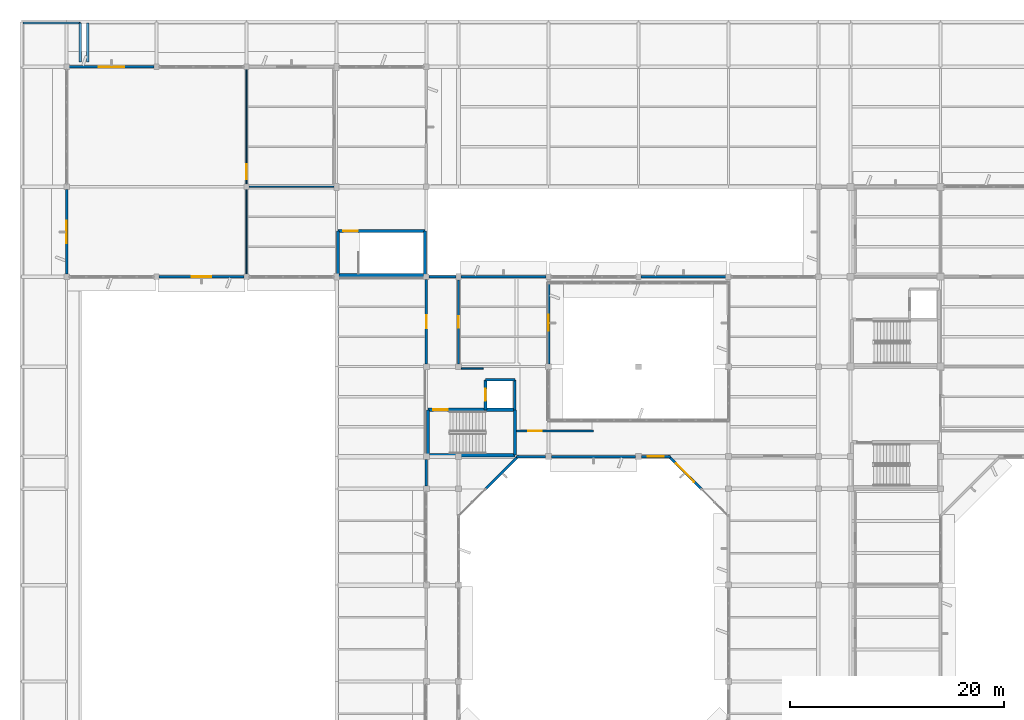
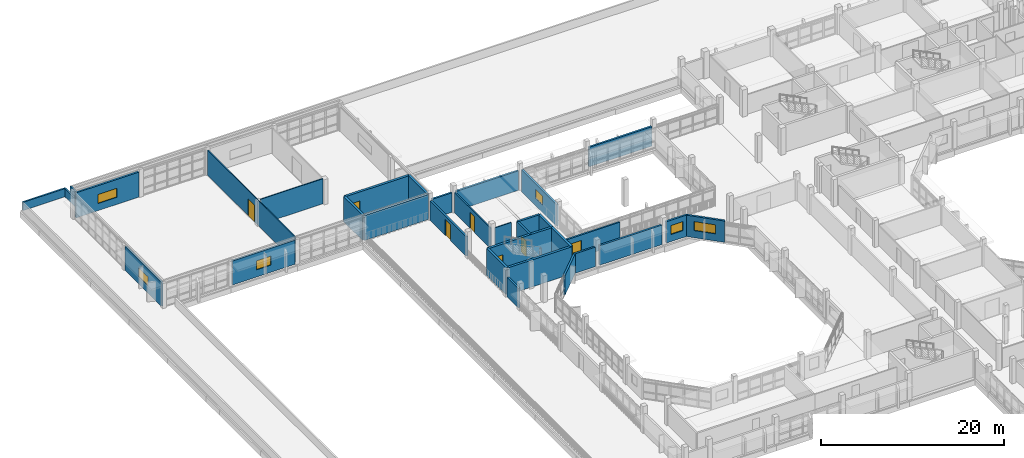
# One storey, part 62 of 92: 33 walls, 7 doors, 6 windows, 13 openings.
"""IFC4 building model written with IfcOpenShell, lengths in metres."""

from ifc_helpers import new_model, si_unit, direction, frame, frame_2d, origin, place, context, subcontext, project, spatial, rectangle, extrude, material, layer, layer_set, type_object, element, fill, save


model = new_model("IFC4")

# Units and contexts
model_context = context("Model", 3, precision=1e-05, world=origin(), true_north=direction((0.0, 1.0)))
body_context = subcontext(model_context, "Body", "Model", "MODEL_VIEW")
ifc_project = project(units=[si_unit("LENGTHUNIT", "METRE"), si_unit("AREAUNIT", "SQUARE_METRE"), si_unit("VOLUMEUNIT", "CUBIC_METRE"), si_unit("PLANEANGLEUNIT", "RADIAN"), si_unit("MASSUNIT", "GRAM", prefix="KILO")], contexts=[model_context])

# Site, building, storey
site_placement = place(None, origin())
site = spatial("IfcSite", under=ifc_project, at=site_placement, CompositionType="ELEMENT")
building_placement = place(site_placement, origin())
building = spatial("IfcBuilding", under=site, at=building_placement, Name="Vanh Quang Courtyard School", CompositionType="ELEMENT")
storey_placement = place(building_placement, frame((0.0, 0.0, 7.800048828125)))
storey = spatial("IfcBuildingStorey", under=building, at=storey_placement, Name="L02", CompositionType="ELEMENT", Elevation=7.800048828125)

# Wall, opening, door
ifc_material_1 = material(Name="Concrete C30/37", Category="concrete")
ifc_layer_1 = layer(ifc_material_1, 0.199951171875)
ifc_layer_set_1 = layer_set([ifc_layer_1], Name="Concrete C30/37")
wall_type_1 = type_object("IfcWallType", Name="W-COMP-200", PredefinedType="PARTITIONING", material=ifc_layer_set_1)
wall_1_placement = place(storey_placement, frame((53.39990234375, 73.800048828125, 0.0), z_axis=(0.0, 0.0, 1.0), x_axis=(-1.0, 0.0, 0.0)))
wall_1 = element("IfcWall", 1, at=wall_1_placement, inside=storey, type_object=wall_type_1, Name="Wall W-COMP1 (L02)", PredefinedType="PARTITIONING", context=body_context, shape_type="SweptSolid", body=[
    extrude(rectangle(XDim=7.199951171875, YDim=0.199951171875, at=frame_2d((3.60009765625, 0.0))), origin(), (0.0, 0.0, 1.0), 2.89990234375),
])
opening_1_placement = place(wall_1_placement, frame((4.824951171875, 0.0, 0.0)))
opening_1 = element("IfcOpeningElement", 2, at=opening_1_placement, cuts=wall_1, Name="Opening L02-D102", PredefinedType="OPENING", context=body_context, shape_type="SweptSolid", body=[
    extrude(rectangle(XDim=1.25, YDim=2.14990234375, at=frame_2d((0.625, 1.074951171875))), frame((0.0, 0.10986328125, 0.0), z_axis=(0.0, -1.0, 0.0), x_axis=(1.0, 0.0, 0.0)), (0.0, 0.0, 1.0), 0.219970703125),
])
ifc_material_2 = material(Name="Painted galvanised steel fire door", Category="steel")
door_type_1 = type_object("IfcDoorType", Name="IDR-LAB-1250x2150", OperationType="NOTDEFINED", PredefinedType="DOOR", material=ifc_material_2)
door_1_placement = place(opening_1_placement, origin())
door_1 = element("IfcDoor", 3, at=door_1_placement, inside=storey, type_object=door_type_1, Name="Door L02-D102 (L02)", OperationType="SINGLE_SWING_LEFT", OverallHeight=2.14990234375, OverallWidth=1.25, PredefinedType="DOOR", context=body_context, shape_type="SweptSolid", body=[
    extrude(rectangle(XDim=1.25, YDim=2.14990234375, at=frame_2d((0.625, 1.074951171875))), frame((0.0, 0.02490234375, 0.0), z_axis=(0.0, -1.0, 0.0), x_axis=(1.0, 0.0, 0.0)), (0.0, 0.0, 1.0), 0.050048828125),
])
fill(opening_1, door_1)

# Walls
ifc_material_3 = material(Name="Concrete C35/45", Category="concrete")
ifc_layer_2 = layer(ifc_material_3, 0.300048828125)
ifc_layer_set_2 = layer_set([ifc_layer_2], Name="Concrete C35/45")
wall_type_2 = type_object("IfcWallType", Name="W-CORE-300", PredefinedType="SHEAR", material=ifc_layer_set_2)
wall_2_placement = place(storey_placement, frame((37.93994140625, 71.5400390625, 0.0), z_axis=(0.0, 0.0, 1.0), x_axis=(1.0, 0.0, 0.0)))
element("IfcWall", 4, at=wall_2_placement, inside=storey, type_object=wall_type_2, Name="Wall W-CORE1 (L02)", PredefinedType="SHEAR", context=body_context, shape_type="SweptSolid", body=[
    extrude(rectangle(XDim=8.1201171875, YDim=0.300048828125, at=frame_2d((4.06005859375, 0.0))), origin(), (0.0, 0.0, 1.0), 3.599853515625),
])
wall_3_placement = place(storey_placement, frame((46.06005859375, 71.5400390625, 0.0), z_axis=(0.0, 0.0, 1.0), x_axis=(0.0, 1.0, 0.0)))
element("IfcWall", 5, at=wall_3_placement, inside=storey, type_object=wall_type_2, Name="Wall W-CORE1 (L02)", PredefinedType="SHEAR", context=body_context, shape_type="SweptSolid", body=[
    extrude(rectangle(XDim=4.239990234375, YDim=0.300048828125, at=frame_2d((2.1201171875, 0.0))), origin(), (0.0, 0.0, 1.0), 3.599853515625),
])

# Wall, opening, door
wall_4_placement = place(storey_placement, frame((46.06005859375, 75.780029296875, 0.0), z_axis=(0.0, 0.0, 1.0), x_axis=(-1.0, 0.0, 0.0)))
wall_4 = element("IfcWall", 6, at=wall_4_placement, inside=storey, type_object=wall_type_2, Name="Wall W-CORE1 (L02)", PredefinedType="SHEAR", context=body_context, shape_type="SweptSolid", body=[
    extrude(rectangle(XDim=8.1201171875, YDim=0.300048828125, at=frame_2d((4.06005859375, 0.0))), origin(), (0.0, 0.0, 1.0), 3.599853515625),
])
opening_2_placement = place(wall_4_placement, frame((6.27001953125, 0.0, 0.0)))
opening_2 = element("IfcOpeningElement", 7, at=opening_2_placement, cuts=wall_4, Name="Opening L02-DS3", PredefinedType="OPENING", context=body_context, shape_type="SweptSolid", body=[
    extrude(rectangle(XDim=1.35009765625, YDim=2.14990234375, at=frame_2d((0.675048828125, 1.074951171875))), frame((0.0, 0.16015625, 0.0), z_axis=(0.0, -1.0, 0.0), x_axis=(1.0, 0.0, 0.0)), (0.0, 0.0, 1.0), 0.320068359375),
])
door_type_2 = type_object("IfcDoorType", Name="IDR-ST-1350x2150", OperationType="NOTDEFINED", PredefinedType="DOOR", material=ifc_material_2)
door_2_placement = place(opening_2_placement, frame((1.35009765625, 0.0, 0.0), z_axis=(0.0, 0.0, 1.0), x_axis=(-1.0, 0.0, 0.0)))
door_2 = element("IfcDoor", 8, at=door_2_placement, inside=storey, type_object=door_type_2, Name="Door L02-DS3 (L02)", OperationType="SINGLE_SWING_RIGHT", OverallHeight=2.14990234375, OverallWidth=1.35009765625, PredefinedType="DOOR", context=body_context, shape_type="SweptSolid", body=[
    extrude(rectangle(XDim=1.35009765625, YDim=2.14990234375, at=frame_2d((0.675048828125, 1.074951171875))), frame((0.0, 0.02490234375, 0.0), z_axis=(0.0, -1.0, 0.0), x_axis=(1.0, 0.0, 0.0)), (0.0, 0.0, 1.0), 0.050048828125),
])
fill(opening_2, door_2)

# Walls
wall_5_placement = place(storey_placement, frame((37.93994140625, 75.780029296875, 0.0), z_axis=(0.0, 0.0, 1.0), x_axis=(0.0, -1.0, 0.0)))
element("IfcWall", 9, at=wall_5_placement, inside=storey, type_object=wall_type_2, Name="Wall W-CORE1 (L02)", PredefinedType="SHEAR", context=body_context, shape_type="SweptSolid", body=[
    extrude(rectangle(XDim=4.239990234375, YDim=0.300048828125, at=frame_2d((2.1201171875, 0.0))), origin(), (0.0, 0.0, 1.0), 3.599853515625),
])
wall_6_placement = place(storey_placement, frame((29.5400390625, 88.340087890625, 0.0), z_axis=(0.0, 0.0, 1.0), x_axis=(1.0, 0.0, 0.0)))
element("IfcWall", 10, at=wall_6_placement, inside=storey, type_object=wall_type_2, Name="Wall W-CORE1 (L02)", PredefinedType="SHEAR", context=body_context, shape_type="SweptSolid", body=[
    extrude(rectangle(XDim=8.119873046875, YDim=0.300048828125, at=frame_2d((4.06005859375, 0.0))), origin(), (0.0, 0.0, 1.0), 3.33984375),
])
wall_7_placement = place(storey_placement, frame((37.659912109375, 88.340087890625, 0.0), z_axis=(0.0, 0.0, 1.0), x_axis=(0.0, 1.0, 0.0)))
element("IfcWall", 11, at=wall_7_placement, inside=storey, type_object=wall_type_2, Name="Wall W-CORE1 (L02)", PredefinedType="SHEAR", context=body_context, shape_type="SweptSolid", body=[
    extrude(rectangle(XDim=4.139892578125, YDim=0.300048828125, at=frame_2d((2.06982421875, 0.0))), origin(), (0.0, 0.0, 1.0), 3.33984375),
])

# Wall, opening, door
wall_8_placement = place(storey_placement, frame((37.659912109375, 92.47998046875, 0.0), z_axis=(0.0, 0.0, 1.0), x_axis=(-1.0, 0.0, 0.0)))
wall_8 = element("IfcWall", 12, at=wall_8_placement, inside=storey, type_object=wall_type_2, Name="Wall W-CORE1 (L02)", PredefinedType="SHEAR", context=body_context, shape_type="SweptSolid", body=[
    extrude(rectangle(XDim=8.119873046875, YDim=0.300048828125, at=frame_2d((4.06005859375, 0.0))), origin(), (0.0, 0.0, 1.0), 3.33984375),
])
opening_3_placement = place(wall_8_placement, frame((6.27001953125, 0.0, 0.0)))
opening_3 = element("IfcOpeningElement", 13, at=opening_3_placement, cuts=wall_8, Name="Opening L02-DS7", PredefinedType="OPENING", context=body_context, shape_type="SweptSolid", body=[
    extrude(rectangle(XDim=1.35009765625, YDim=2.14990234375, at=frame_2d((0.675048828125, 1.074951171875))), frame((0.0, 0.16015625, 0.0), z_axis=(0.0, -1.0, 0.0), x_axis=(1.0, 0.0, 0.0)), (0.0, 0.0, 1.0), 0.320068359375),
])
door_3_placement = place(opening_3_placement, frame((1.35009765625, 0.0, 0.0), z_axis=(0.0, 0.0, 1.0), x_axis=(-1.0, 0.0, 0.0)))
door_3 = element("IfcDoor", 14, at=door_3_placement, inside=storey, type_object=door_type_2, Name="Door L02-DS7 (L02)", OperationType="SINGLE_SWING_RIGHT", OverallHeight=2.14990234375, OverallWidth=1.35009765625, PredefinedType="DOOR", context=body_context, shape_type="SweptSolid", body=[
    extrude(rectangle(XDim=1.35009765625, YDim=2.14990234375, at=frame_2d((0.675048828125, 1.074951171875))), frame((0.0, 0.02490234375, 0.0), z_axis=(0.0, -1.0, 0.0), x_axis=(1.0, 0.0, 0.0)), (0.0, 0.0, 1.0), 0.050048828125),
])
fill(opening_3, door_3)

# Walls
wall_9_placement = place(storey_placement, frame((29.5400390625, 92.47998046875, 0.0), z_axis=(0.0, 0.0, 1.0), x_axis=(0.0, -1.0, 0.0)))
element("IfcWall", 15, at=wall_9_placement, inside=storey, type_object=wall_type_2, Name="Wall W-CORE1 (L02)", PredefinedType="SHEAR", context=body_context, shape_type="SweptSolid", body=[
    extrude(rectangle(XDim=4.139892578125, YDim=0.300048828125, at=frame_2d((2.06982421875, 0.0))), origin(), (0.0, 0.0, 1.0), 3.33984375),
])
ifc_material_4 = material(Name="Precast concrete C40/50", Category="concrete")
ifc_layer_3 = layer(ifc_material_4, 0.239990234375)
ifc_layer_set_3 = layer_set([ifc_layer_3], Name="Precast concrete C40/50")
wall_type_3 = type_object("IfcWallType", Name="W-EXT-240", PredefinedType="SOLIDWALL", material=ifc_layer_set_3)
wall_10_placement = place(storey_placement, frame((37.800048828125, 68.673095703125, 0.0), z_axis=(0.0, 0.0, 1.0), x_axis=(0.0, 1.0, 0.0)))
element("IfcWall", 16, at=wall_10_placement, inside=storey, type_object=wall_type_3, Name="Wall WE-03 (L02)", PredefinedType="SOLIDWALL", context=body_context, shape_type="SweptSolid", body=[
    extrude(rectangle(XDim=2.453857421875, YDim=0.239990234375, at=frame_2d((1.22705078125, 0.0))), origin(), (0.0, 0.0, 1.0), 2.599853515625),
])

# Wall, opening, door
wall_11_placement = place(storey_placement, frame((37.800048828125, 80.072998046875, 0.0), z_axis=(0.0, 0.0, 1.0), x_axis=(0.0, 1.0, 0.0)))
wall_11 = element("IfcWall", 17, at=wall_11_placement, inside=storey, type_object=wall_type_3, Name="Wall WE-03 (L02)", PredefinedType="SOLIDWALL", context=body_context, shape_type="SweptSolid", body=[
    extrude(rectangle(XDim=7.87890625, YDim=0.239990234375, at=frame_2d((3.939453125, 0.0))), origin(), (0.0, 0.0, 1.0), 2.599853515625),
])
opening_4_placement = place(wall_11_placement, frame((3.339599609375, 0.0, 0.0)))
opening_4 = element("IfcOpeningElement", 18, at=opening_4_placement, cuts=wall_11, Name="Opening L02-PD052", PredefinedType="OPENING", context=body_context, shape_type="SweptSolid", body=[
    extrude(rectangle(XDim=1.199951171875, YDim=2.14990234375, at=frame_2d((0.60009765625, 1.074951171875))), frame((0.0, 0.1298828125, 0.0), z_axis=(0.0, -1.0, 0.0), x_axis=(1.0, 0.0, 0.0)), (0.0, 0.0, 1.0), 0.260009765625),
])
ifc_material_5 = material(Name="Thermally broken aluminium and laminated safety glass", Category="aluminium")
door_type_3 = type_object("IfcDoorType", Name="EDR-TYP-03", OperationType="NOTDEFINED", PredefinedType="DOOR", material=ifc_material_5)
door_4_placement = place(opening_4_placement, origin())
door_4 = element("IfcDoor", 19, at=door_4_placement, inside=storey, type_object=door_type_3, Name="Door L02-PD052 (L02)", OperationType="SINGLE_SWING_LEFT", OverallHeight=2.14990234375, OverallWidth=1.199951171875, PredefinedType="DOOR", context=body_context, shape_type="SweptSolid", body=[
    extrude(rectangle(XDim=1.199951171875, YDim=2.14990234375, at=frame_2d((0.60009765625, 1.074951171875))), frame((0.0, 0.02490234375, 0.0), z_axis=(0.0, -1.0, 0.0), x_axis=(1.0, 0.0, 0.0)), (0.0, 0.0, 1.0), 0.050048828125),
])
fill(opening_4, door_4)

# Walls
wall_12_placement = place(storey_placement, frame((38.048095703125, 88.199951171875, 0.0), z_axis=(0.0, 0.0, 1.0), x_axis=(1.0, 0.0, 0.0)))
element("IfcWall", 20, at=wall_12_placement, inside=storey, type_object=wall_type_3, Name="Wall WE-03 (L02)", PredefinedType="SOLIDWALL", context=body_context, shape_type="SweptSolid", body=[
    extrude(rectangle(XDim=2.50390625, YDim=0.239990234375, at=frame_2d((1.251953125, 0.0))), origin(), (0.0, 0.0, 1.0), 2.599853515625),
])
wall_13_placement = place(storey_placement, frame((41.048095703125, 88.199951171875, 0.0), z_axis=(0.0, 0.0, 1.0), x_axis=(1.0, 0.0, 0.0)))
element("IfcWall", 21, at=wall_13_placement, inside=storey, type_object=wall_type_3, Name="Wall WE-03 (L02)", PredefinedType="SOLIDWALL", context=body_context, shape_type="SweptSolid", body=[
    extrude(rectangle(XDim=7.90380859375, YDim=0.239990234375, at=frame_2d((3.951904296875, 0.0))), origin(), (0.0, 0.0, 1.0), 2.599853515625),
])
wall_14_placement = place(storey_placement, frame((57.847900390625, 88.199951171875, 0.0), z_axis=(0.0, 0.0, 1.0), x_axis=(1.0, 0.0, 0.0)))
element("IfcWall", 22, at=wall_14_placement, inside=storey, type_object=wall_type_3, Name="Wall WE-03 (L02)", PredefinedType="SOLIDWALL", context=body_context, shape_type="SweptSolid", body=[
    extrude(rectangle(XDim=7.904052734375, YDim=0.239990234375, at=frame_2d((3.9521484375, 0.0))), origin(), (0.0, 0.0, 1.0), 2.599853515625),
])

# Wall, opening, window
wall_15_placement = place(storey_placement, frame((63.541015625, 68.315185546875, 0.0), z_axis=(0.0, 0.0, 1.0), x_axis=(-0.707134011639, 0.707079549685, 0.0)))
wall_15 = element("IfcWall", 23, at=wall_15_placement, inside=storey, type_object=wall_type_3, Name="Wall WE-03 (L02)", PredefinedType="SOLIDWALL", context=body_context, shape_type="SweptSolid", body=[
    extrude(rectangle(XDim=4.482666015625, YDim=0.239990234375, at=frame_2d((2.2412109375, 0.0))), origin(), (0.0, 0.0, 1.0), 2.849853515625),
])
opening_5_placement = place(wall_15_placement, frame((1.04150390625, 0.0, 0.949951171875)))
opening_5 = element("IfcOpeningElement", 24, at=opening_5_placement, cuts=wall_15, Name="Opening WN-05", PredefinedType="OPENING", context=body_context, shape_type="SweptSolid", body=[
    extrude(rectangle(XDim=2.39990234375, YDim=1.199951171875, at=frame_2d((1.199951171875, 0.60009765625))), frame((0.0, 0.1298828125, 0.0), z_axis=(0.0, -1.0, 0.0), x_axis=(1.0, 0.0, 0.0)), (0.0, 0.0, 1.0), 0.260009765625),
])
ifc_material_6 = material(Name="Anodised aluminium and low-E double glazing", Category="aluminium")
window_type_1 = type_object("IfcWindowType", Name="WIN-TYP-05", PartitioningType="SINGLE_PANEL", PredefinedType="WINDOW", material=ifc_material_6)
window_1_placement = place(opening_5_placement, origin())
window_1 = element("IfcWindow", 25, at=window_1_placement, inside=storey, type_object=window_type_1, Name="Window WN-05 (L02)", OverallHeight=1.199951171875, OverallWidth=2.39990234375, PartitioningType="SINGLE_PANEL", PredefinedType="WINDOW", context=body_context, shape_type="SweptSolid", body=[
    extrude(rectangle(XDim=2.39990234375, YDim=1.199951171875, at=frame_2d((1.199951171875, 0.60009765625))), frame((0.0, 0.030029296875, 0.0), z_axis=(0.0, -1.0, 0.0), x_axis=(1.0, 0.0, 0.0)), (0.0, 0.0, 1.0), 0.06005859375),
])
fill(opening_5, window_1)

wall_16_placement = place(storey_placement, frame((60.575927734375, 71.39990234375, 0.0), z_axis=(0.0, 0.0, 1.0), x_axis=(-1.0, 0.0, 0.0)))
wall_16 = element("IfcWall", 26, at=wall_16_placement, inside=storey, type_object=wall_type_3, Name="Wall WE-03 (L02)", PredefinedType="SOLIDWALL", context=body_context, shape_type="SweptSolid", body=[
    extrude(rectangle(XDim=2.702880859375, YDim=0.239990234375, at=frame_2d((1.3515625, 0.0))), origin(), (0.0, 0.0, 1.0), 2.849853515625),
])
opening_6_placement = place(wall_16_placement, frame((0.6015625, 0.0, 0.949951171875)))
opening_6 = element("IfcOpeningElement", 27, at=opening_6_placement, cuts=wall_16, Name="Opening WN-02", PredefinedType="OPENING", context=body_context, shape_type="SweptSolid", body=[
    extrude(rectangle(XDim=1.5, YDim=1.199951171875, at=frame_2d((0.75, 0.60009765625))), frame((0.0, 0.1298828125, 0.0), z_axis=(0.0, -1.0, 0.0), x_axis=(1.0, 0.0, 0.0)), (0.0, 0.0, 1.0), 0.260009765625),
])
window_type_2 = type_object("IfcWindowType", Name="WIN-TYP-02", PartitioningType="SINGLE_PANEL", PredefinedType="WINDOW", material=ifc_material_6)
window_2_placement = place(opening_6_placement, origin())
window_2 = element("IfcWindow", 28, at=window_2_placement, inside=storey, type_object=window_type_2, Name="Window WN-02 (L02)", OverallHeight=1.199951171875, OverallWidth=1.5, PartitioningType="SINGLE_PANEL", PredefinedType="WINDOW", context=body_context, shape_type="SweptSolid", body=[
    extrude(rectangle(XDim=1.5, YDim=1.199951171875, at=frame_2d((0.75, 0.60009765625))), frame((0.0, 0.030029296875, 0.0), z_axis=(0.0, -1.0, 0.0), x_axis=(1.0, 0.0, 0.0)), (0.0, 0.0, 1.0), 0.06005859375),
])
fill(opening_6, window_2)

# Walls
wall_17_placement = place(storey_placement, frame((57.326904296875, 71.39990234375, 0.0), z_axis=(0.0, 0.0, 1.0), x_axis=(-1.0, 0.0, 0.0)))
element("IfcWall", 29, at=wall_17_placement, inside=storey, type_object=wall_type_3, Name="Wall WE-03 (L02)", PredefinedType="SOLIDWALL", context=body_context, shape_type="SweptSolid", body=[
    extrude(rectangle(XDim=7.85400390625, YDim=0.239990234375, at=frame_2d((3.927001953125, 0.0))), origin(), (0.0, 0.0, 1.0), 2.599853515625),
])
wall_18_placement = place(storey_placement, frame((48.927001953125, 71.39990234375, 0.0), z_axis=(0.0, 0.0, 1.0), x_axis=(-1.0, 0.0, 0.0)))
element("IfcWall", 30, at=wall_18_placement, inside=storey, type_object=wall_type_3, Name="Wall WE-03 (L02)", PredefinedType="SOLIDWALL", context=body_context, shape_type="SweptSolid", body=[
    extrude(rectangle(XDim=2.702880859375, YDim=0.239990234375, at=frame_2d((1.3515625, 0.0))), origin(), (0.0, 0.0, 1.0), 2.599853515625),
])
wall_19_placement = place(storey_placement, frame((46.428955078125, 71.48486328125, 0.0), z_axis=(0.0, 0.0, 1.0), x_axis=(-0.707134011639, -0.707079549685, 0.0)))
element("IfcWall", 31, at=wall_19_placement, inside=storey, type_object=wall_type_3, Name="Wall WE-03 (L02)", PredefinedType="SOLIDWALL", context=body_context, shape_type="SweptSolid", body=[
    extrude(rectangle(XDim=4.482666015625, YDim=0.239990234375, at=frame_2d((2.2412109375, 0.0))), origin(), (0.0, 0.0, 1.0), 2.599853515625),
])

# Wall, opening, window
wall_20_placement = place(storey_placement, frame((49.199951171875, 87.719970703125, 0.0), z_axis=(0.0, 0.0, 1.0), x_axis=(0.0, -1.0, 0.0)))
wall_20 = element("IfcWall", 32, at=wall_20_placement, inside=storey, type_object=wall_type_3, Name="Wall WE-03 (L02)", PredefinedType="SOLIDWALL", context=body_context, shape_type="SweptSolid", body=[
    extrude(rectangle(XDim=7.64697265625, YDim=0.239990234375, at=frame_2d((3.823486328125, 0.0))), origin(), (0.0, 0.0, 1.0), 2.89990234375),
])
opening_7_placement = place(wall_20_placement, frame((3.073486328125, 0.0, 0.949951171875)))
opening_7 = element("IfcOpeningElement", 33, at=opening_7_placement, cuts=wall_20, Name="Opening WN-02", PredefinedType="OPENING", context=body_context, shape_type="SweptSolid", body=[
    extrude(rectangle(XDim=1.5, YDim=1.199951171875, at=frame_2d((0.75, 0.60009765625))), frame((0.0, 0.1298828125, 0.0), z_axis=(0.0, -1.0, 0.0), x_axis=(1.0, 0.0, 0.0)), (0.0, 0.0, 1.0), 0.260009765625),
])
window_3_placement = place(opening_7_placement, origin())
window_3 = element("IfcWindow", 34, at=window_3_placement, inside=storey, type_object=window_type_2, Name="Window WN-02 (L02)", OverallHeight=1.199951171875, OverallWidth=1.5, PartitioningType="SINGLE_PANEL", PredefinedType="WINDOW", context=body_context, shape_type="SweptSolid", body=[
    extrude(rectangle(XDim=1.5, YDim=1.199951171875, at=frame_2d((0.75, 0.60009765625))), frame((0.0, 0.030029296875, 0.0), z_axis=(0.0, -1.0, 0.0), x_axis=(1.0, 0.0, 0.0)), (0.0, 0.0, 1.0), 0.06005859375),
])
fill(opening_7, window_3)

wall_21_placement = place(storey_placement, frame((20.751953125, 88.199951171875, 0.0), z_axis=(0.0, 0.0, 1.0), x_axis=(-1.0, 0.0, 0.0)))
wall_21 = element("IfcWall", 35, at=wall_21_placement, inside=storey, type_object=wall_type_3, Name="Wall WE-03 (L02)", PredefinedType="SOLIDWALL", context=body_context, shape_type="SweptSolid", body=[
    extrude(rectangle(XDim=7.904052734375, YDim=0.239990234375, at=frame_2d((3.9521484375, 0.0))), origin(), (0.0, 0.0, 1.0), 3.199951171875),
])
opening_8_placement = place(wall_21_placement, frame((3.052001953125, 0.0, 0.949951171875)))
opening_8 = element("IfcOpeningElement", 36, at=opening_8_placement, cuts=wall_21, Name="Opening WN-03", PredefinedType="OPENING", context=body_context, shape_type="SweptSolid", body=[
    extrude(rectangle(XDim=1.800048828125, YDim=1.199951171875, at=frame_2d((0.89990234375, 0.60009765625))), frame((0.0, 0.1298828125, 0.0), z_axis=(0.0, -1.0, 0.0), x_axis=(1.0, 0.0, 0.0)), (0.0, 0.0, 1.0), 0.260009765625),
])
window_type_3 = type_object("IfcWindowType", Name="WIN-TYP-03", PartitioningType="SINGLE_PANEL", PredefinedType="WINDOW", material=ifc_material_6)
window_4_placement = place(opening_8_placement, origin())
window_4 = element("IfcWindow", 37, at=window_4_placement, inside=storey, type_object=window_type_3, Name="Window WN-03 (L02)", OverallHeight=1.199951171875, OverallWidth=1.800048828125, PartitioningType="SINGLE_PANEL", PredefinedType="WINDOW", context=body_context, shape_type="SweptSolid", body=[
    extrude(rectangle(XDim=1.800048828125, YDim=1.199951171875, at=frame_2d((0.89990234375, 0.60009765625))), frame((0.0, 0.030029296875, 0.0), z_axis=(0.0, -1.0, 0.0), x_axis=(1.0, 0.0, 0.0)), (0.0, 0.0, 1.0), 0.06005859375),
])
fill(opening_8, window_4)

wall_22_placement = place(storey_placement, frame((4.199951171875, 88.447998046875, 0.0), z_axis=(0.0, 0.0, 1.0), x_axis=(0.0, 1.0, 0.0)))
wall_22 = element("IfcWall", 38, at=wall_22_placement, inside=storey, type_object=wall_type_3, Name="Wall WE-03 (L02)", PredefinedType="SOLIDWALL", context=body_context, shape_type="SweptSolid", body=[
    extrude(rectangle(XDim=7.904052734375, YDim=0.239990234375, at=frame_2d((3.9521484375, 0.0))), origin(), (0.0, 0.0, 1.0), 3.199951171875),
])
opening_9_placement = place(wall_22_placement, frame((2.902099609375, 0.0, 0.949951171875)))
opening_9 = element("IfcOpeningElement", 39, at=opening_9_placement, cuts=wall_22, Name="Opening WN-04", PredefinedType="OPENING", context=body_context, shape_type="SweptSolid", body=[
    extrude(rectangle(XDim=2.10009765625, YDim=1.199951171875, at=frame_2d((1.050048828125, 0.60009765625))), frame((0.0, 0.1298828125, 0.0), z_axis=(0.0, -1.0, 0.0), x_axis=(1.0, 0.0, 0.0)), (0.0, 0.0, 1.0), 0.260009765625),
])
window_type_4 = type_object("IfcWindowType", Name="WIN-TYP-04", PartitioningType="SINGLE_PANEL", PredefinedType="WINDOW", material=ifc_material_6)
window_5_placement = place(opening_9_placement, origin())
window_5 = element("IfcWindow", 40, at=window_5_placement, inside=storey, type_object=window_type_4, Name="Window WN-04 (L02)", OverallHeight=1.199951171875, OverallWidth=2.10009765625, PartitioningType="SINGLE_PANEL", PredefinedType="WINDOW", context=body_context, shape_type="SweptSolid", body=[
    extrude(rectangle(XDim=2.10009765625, YDim=1.199951171875, at=frame_2d((1.050048828125, 0.60009765625))), frame((0.0, 0.030029296875, 0.0), z_axis=(0.0, -1.0, 0.0), x_axis=(1.0, 0.0, 0.0)), (0.0, 0.0, 1.0), 0.06005859375),
])
fill(opening_9, window_5)

wall_23_placement = place(storey_placement, frame((4.447998046875, 107.800048828125, 0.0), z_axis=(0.0, 0.0, 1.0), x_axis=(1.0, 0.0, 0.0)))
wall_23 = element("IfcWall", 41, at=wall_23_placement, inside=storey, type_object=wall_type_3, Name="Wall WE-03 (L02)", PredefinedType="SOLIDWALL", context=body_context, shape_type="SweptSolid", body=[
    extrude(rectangle(XDim=7.904052734375, YDim=0.239990234375, at=frame_2d((3.9521484375, 0.0))), origin(), (0.0, 0.0, 1.0), 3.33984375),
])
opening_10_placement = place(wall_23_placement, frame((2.751953125, 0.0, 0.949951171875)))
opening_10 = element("IfcOpeningElement", 42, at=opening_10_placement, cuts=wall_23, Name="Opening WN-05", PredefinedType="OPENING", context=body_context, shape_type="SweptSolid", body=[
    extrude(rectangle(XDim=2.39990234375, YDim=1.199951171875, at=frame_2d((1.199951171875, 0.60009765625))), frame((0.0, 0.1298828125, 0.0), z_axis=(0.0, -1.0, 0.0), x_axis=(1.0, 0.0, 0.0)), (0.0, 0.0, 1.0), 0.260009765625),
])
window_6_placement = place(opening_10_placement, origin())
window_6 = element("IfcWindow", 43, at=window_6_placement, inside=storey, type_object=window_type_1, Name="Window WN-05 (L02)", OverallHeight=1.199951171875, OverallWidth=2.39990234375, PartitioningType="SINGLE_PANEL", PredefinedType="WINDOW", context=body_context, shape_type="SweptSolid", body=[
    extrude(rectangle(XDim=2.39990234375, YDim=1.199951171875, at=frame_2d((1.199951171875, 0.60009765625))), frame((0.0, 0.030029296875, 0.0), z_axis=(0.0, -1.0, 0.0), x_axis=(1.0, 0.0, 0.0)), (0.0, 0.0, 1.0), 0.06005859375),
])
fill(opening_10, window_6)

# Walls
ifc_layer_4 = layer(ifc_material_3, 0.199951171875)
ifc_layer_set_4 = layer_set([ifc_layer_4], Name="Concrete C35/45")
wall_type_4 = type_object("IfcWallType", Name="W-PAR-200", PredefinedType="PARAPET", material=ifc_layer_set_4)
for number, where, z_axis, x_axis, name in (
    (44, (6.169921875, 108.25, 0.0), (0.0, 0.0, 1.0), (0.0, 1.0, 0.0), "Wall WP-01 (L02)"),
    (45, (5.47998046875, 111.8798828125, 0.0), (0.0, 0.0, 1.0), (0.0, -1.0, 0.0), "Wall WP-01 (L02)"),
):
    element("IfcWall", number, at=place(storey_placement, frame(where, z_axis=z_axis, x_axis=x_axis)), inside=storey, type_object=wall_type_4, Name=name, PredefinedType="PARAPET", context=body_context, shape_type="SweptSolid", body=[
        extrude(rectangle(XDim=3.6298828125, YDim=0.199951171875, at=frame_2d((1.81494140625, 0.0))), origin(), (0.0, 0.0, 1.0), 1.099853515625),
    ])
wall_24_placement = place(storey_placement, frame((0.1201171875, 111.8798828125, 0.0), z_axis=(0.0, 0.0, 1.0), x_axis=(1.0, 0.0, 0.0)))
element("IfcWall", 46, at=wall_24_placement, inside=storey, type_object=wall_type_4, Name="Wall WP-01 (L02)", PredefinedType="PARAPET", context=body_context, shape_type="SweptSolid", body=[
    extrude(rectangle(XDim=5.35986328125, YDim=0.199951171875, at=frame_2d((2.679931640625, 0.0))), origin(), (0.0, 0.0, 1.0), 1.099853515625),
])

# Wall, opening, door
ifc_material_7 = material(Name="Acoustic gypsum stud partition", Category="gypsum")
ifc_layer_5 = layer(ifc_material_7, 0.1201171875)
ifc_layer_set_5 = layer_set([ifc_layer_5], Name="Acoustic gypsum stud partition")
wall_type_5 = type_object("IfcWallType", Name="W-PART-120", PredefinedType="PARTITIONING", material=ifc_layer_set_5)
wall_25_placement = place(storey_placement, frame((21.0, 107.552001953125, 0.0), z_axis=(0.0, 0.0, 1.0), x_axis=(0.0, -1.0, 0.0)))
wall_25 = element("IfcWall", 47, at=wall_25_placement, inside=storey, type_object=wall_type_5, Name="Wall W-PRT2 (L02)", PredefinedType="PARTITIONING", context=body_context, shape_type="SweptSolid", body=[
    extrude(rectangle(XDim=19.10400390625, YDim=0.1201171875, at=frame_2d((9.552001953125, 0.0))), origin(), (0.0, 0.0, 1.0), 3.33984375),
])
opening_11_placement = place(wall_25_placement, frame((8.85205078125, 0.0, 0.0)))
opening_11 = element("IfcOpeningElement", 48, at=opening_11_placement, cuts=wall_25, Name="Opening L02-D098", PredefinedType="OPENING", context=body_context, shape_type="SweptSolid", body=[
    extrude(rectangle(XDim=1.39990234375, YDim=2.199951171875, at=frame_2d((0.699951171875, 1.10009765625))), frame((0.0, 0.070068359375, 0.0), z_axis=(0.0, -1.0, 0.0), x_axis=(1.0, 0.0, 0.0)), (0.0, 0.0, 1.0), 0.14013671875),
])
ifc_material_8 = material(Name="Solid-core hardwood acoustic door", Category="wood")
door_type_4 = type_object("IfcDoorType", Name="IDR-STU-1400x2200", OperationType="NOTDEFINED", PredefinedType="DOOR", material=ifc_material_8)
door_5_placement = place(opening_11_placement, origin())
door_5 = element("IfcDoor", 49, at=door_5_placement, inside=storey, type_object=door_type_4, Name="Door L02-D098 (L02)", OperationType="SINGLE_SWING_LEFT", OverallHeight=2.199951171875, OverallWidth=1.39990234375, PredefinedType="DOOR", context=body_context, shape_type="SweptSolid", body=[
    extrude(rectangle(XDim=1.39990234375, YDim=2.199951171875, at=frame_2d((0.699951171875, 1.10009765625))), frame((0.0, 0.02490234375, 0.0), z_axis=(0.0, -1.0, 0.0), x_axis=(1.0, 0.0, 0.0)), (0.0, 0.0, 1.0), 0.050048828125),
])
fill(opening_11, door_5)

# Walls
wall_26_placement = place(storey_placement, frame((29.152099609375, 96.60009765625, 0.0), z_axis=(0.0, 0.0, 1.0), x_axis=(-1.0, 0.0, 0.0)))
element("IfcWall", 50, at=wall_26_placement, inside=storey, type_object=wall_type_5, Name="Wall W-PRT2 (L02)", PredefinedType="PARTITIONING", context=body_context, shape_type="SweptSolid", body=[
    extrude(rectangle(XDim=7.904052734375, YDim=0.1201171875, at=frame_2d((3.9521484375, 0.0))), origin(), (0.0, 0.0, 1.0), 3.33984375),
])
wall_27_placement = place(storey_placement, frame((43.102294921875, 79.6201171875, 0.0), z_axis=(0.0, 0.0, 1.0), x_axis=(-1.0, 0.0, 0.0)))
element("IfcWall", 51, at=wall_27_placement, inside=storey, type_object=wall_type_5, Name="Wall W-PRT2 (L02)", PredefinedType="PARTITIONING", context=body_context, shape_type="SweptSolid", body=[
    extrude(rectangle(XDim=2.029296875, YDim=0.1201171875, at=frame_2d((1.0146484375, 0.0))), origin(), (0.0, 0.0, 1.0), 2.909912109375),
])

# Wall, opening, door
ifc_material_9 = material(Name="Autoclaved aerated masonry blockwork", Category="masonry")
ifc_layer_6 = layer(ifc_material_9, 0.14990234375)
ifc_layer_set_6 = layer_set([ifc_layer_6], Name="Autoclaved aerated masonry blockwork")
wall_type_6 = type_object("IfcWallType", Name="W-PART-150", PredefinedType="PARTITIONING", material=ifc_layer_set_6)
wall_28_placement = place(storey_placement, frame((40.800048828125, 80.072998046875, 0.0), z_axis=(0.0, 0.0, 1.0), x_axis=(0.0, 1.0, 0.0)))
wall_28 = element("IfcWall", 52, at=wall_28_placement, inside=storey, type_object=wall_type_6, Name="Wall W-PRT1 (L02)", PredefinedType="PARTITIONING", context=body_context, shape_type="SweptSolid", body=[
    extrude(rectangle(XDim=7.803955078125, YDim=0.14990234375, at=frame_2d((3.90185546875, 0.0))), origin(), (0.0, 0.0, 1.0), 2.699951171875),
])
opening_12_placement = place(wall_28_placement, frame((3.376953125, 0.0, 0.0)))
opening_12 = element("IfcOpeningElement", 53, at=opening_12_placement, cuts=wall_28, Name="Opening L02-D103", PredefinedType="OPENING", context=body_context, shape_type="SweptSolid", body=[
    extrude(rectangle(XDim=1.050048828125, YDim=2.14990234375, at=frame_2d((0.52490234375, 1.074951171875))), frame((0.0, 0.0849609375, 0.0), z_axis=(0.0, -1.0, 0.0), x_axis=(1.0, 0.0, 0.0)), (0.0, 0.0, 1.0), 0.169921875),
])
door_type_5 = type_object("IfcDoorType", Name="IDR-FD-1050x2150", OperationType="NOTDEFINED", PredefinedType="DOOR", material=ifc_material_2)
door_6_placement = place(opening_12_placement, origin())
door_6 = element("IfcDoor", 54, at=door_6_placement, inside=storey, type_object=door_type_5, Name="Door L02-D103 (L02)", OperationType="SINGLE_SWING_RIGHT", OverallHeight=2.14990234375, OverallWidth=1.050048828125, PredefinedType="DOOR", context=body_context, shape_type="SweptSolid", body=[
    extrude(rectangle(XDim=1.050048828125, YDim=2.14990234375, at=frame_2d((0.52490234375, 1.074951171875))), frame((0.0, 0.02490234375, 0.0), z_axis=(0.0, -1.0, 0.0), x_axis=(1.0, 0.0, 0.0)), (0.0, 0.0, 1.0), 0.050048828125),
])
fill(opening_12, door_6)

ifc_layer_7 = layer(ifc_material_3, 0.25)
ifc_layer_set_7 = layer_set([ifc_layer_7], Name="Concrete C35/45")
wall_type_7 = type_object("IfcWallType", Name="W-SHFT-250", PredefinedType="SHEAR", material=ifc_layer_set_7)
wall_29_placement = place(storey_placement, frame((43.320068359375, 78.580078125, 0.0), z_axis=(0.0, 0.0, 1.0), x_axis=(0.0, -1.0, 0.0)))
wall_29 = element("IfcWall", 55, at=wall_29_placement, inside=storey, type_object=wall_type_7, Name="Wall W-SHFT1 (L02)", PredefinedType="SHEAR", context=body_context, shape_type="SweptSolid", body=[
    extrude(rectangle(XDim=2.800048828125, YDim=0.25, at=frame_2d((1.39990234375, 0.0))), origin(), (0.0, 0.0, 1.0), 3.599853515625),
])
opening_13_placement = place(wall_29_placement, frame((0.85009765625, 0.0, 0.0)))
opening_13 = element("IfcOpeningElement", 56, at=opening_13_placement, cuts=wall_29, Name="Opening LD-03-L02", PredefinedType="OPENING", context=body_context, shape_type="SweptSolid", body=[
    extrude(rectangle(XDim=1.10009765625, YDim=2.14990234375, at=frame_2d((0.550048828125, 1.074951171875))), frame((0.0, 0.135009765625, 0.0), z_axis=(0.0, -1.0, 0.0), x_axis=(1.0, 0.0, 0.0)), (0.0, 0.0, 1.0), 0.27001953125),
])
door_type_6 = type_object("IfcDoorType", Name="IDR-LD-1100x2150", OperationType="NOTDEFINED", PredefinedType="DOOR", material=ifc_material_2)
door_7_placement = place(opening_13_placement, origin())
door_7 = element("IfcDoor", 57, at=door_7_placement, inside=storey, type_object=door_type_6, Name="Door LD-03-L02 (L02)", OperationType="DOUBLE_DOOR_SLIDING", OverallHeight=2.14990234375, OverallWidth=1.10009765625, PredefinedType="DOOR", context=body_context, shape_type="SweptSolid", body=[
    extrude(rectangle(XDim=1.10009765625, YDim=2.14990234375, at=frame_2d((0.550048828125, 1.074951171875))), frame((0.0, 0.02490234375, 0.0), z_axis=(0.0, -1.0, 0.0), x_axis=(1.0, 0.0, 0.0)), (0.0, 0.0, 1.0), 0.050048828125),
])
fill(opening_13, door_7)

# Walls
wall_30_placement = place(storey_placement, frame((46.06005859375, 78.580078125, 0.0), z_axis=(0.0, 0.0, 1.0), x_axis=(-1.0, 0.0, 0.0)))
element("IfcWall", 58, at=wall_30_placement, inside=storey, type_object=wall_type_7, Name="Wall W-SHFT1 (L02)", PredefinedType="SHEAR", context=body_context, shape_type="SweptSolid", body=[
    extrude(rectangle(XDim=2.739990234375, YDim=0.25, at=frame_2d((1.3701171875, 0.0))), origin(), (0.0, 0.0, 1.0), 3.599853515625),
])
wall_31_placement = place(storey_placement, frame((46.06005859375, 75.780029296875, 0.0), z_axis=(0.0, 0.0, 1.0), x_axis=(0.0, 1.0, 0.0)))
element("IfcWall", 59, at=wall_31_placement, inside=storey, type_object=wall_type_7, Name="Wall W-SHFT1 (L02)", PredefinedType="SHEAR", context=body_context, shape_type="SweptSolid", body=[
    extrude(rectangle(XDim=2.800048828125, YDim=0.25, at=frame_2d((1.39990234375, 0.0))), origin(), (0.0, 0.0, 1.0), 3.599853515625),
])

save(model, "model.ifc")
